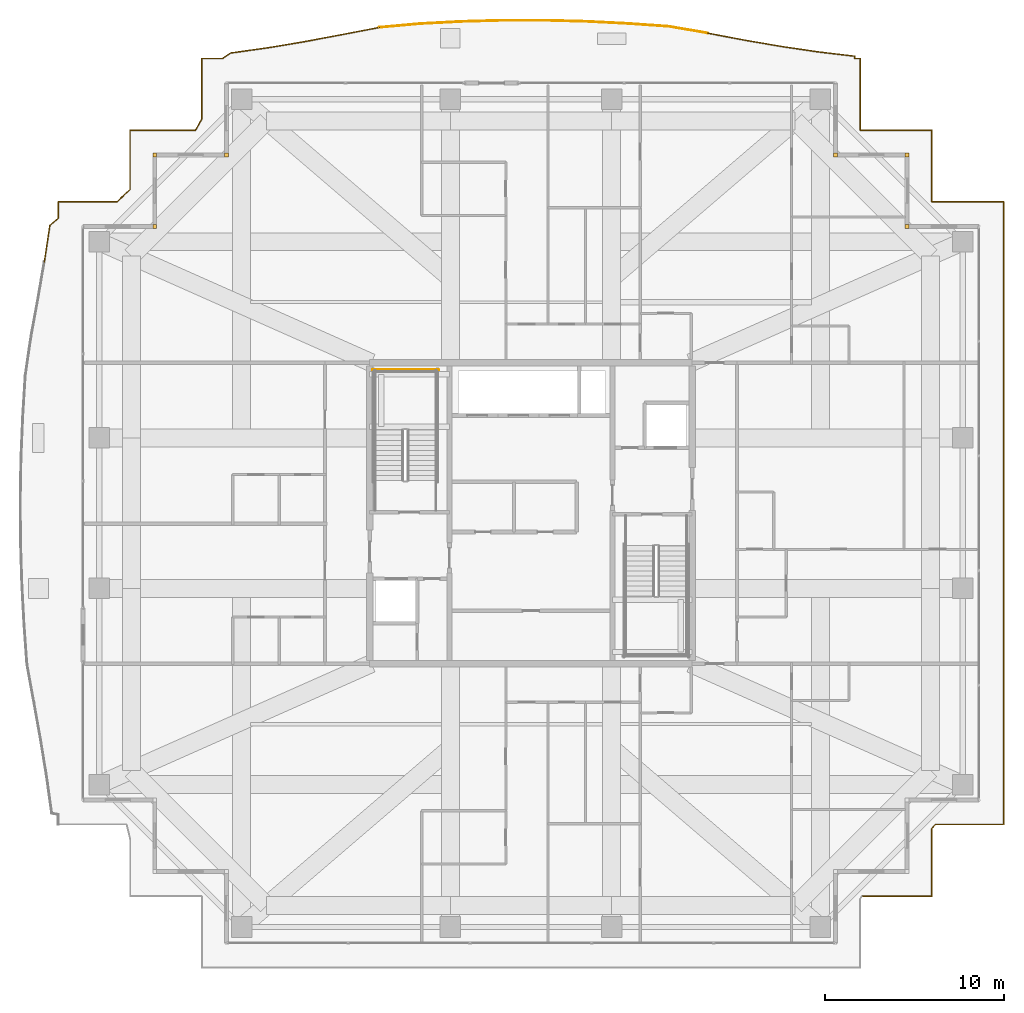
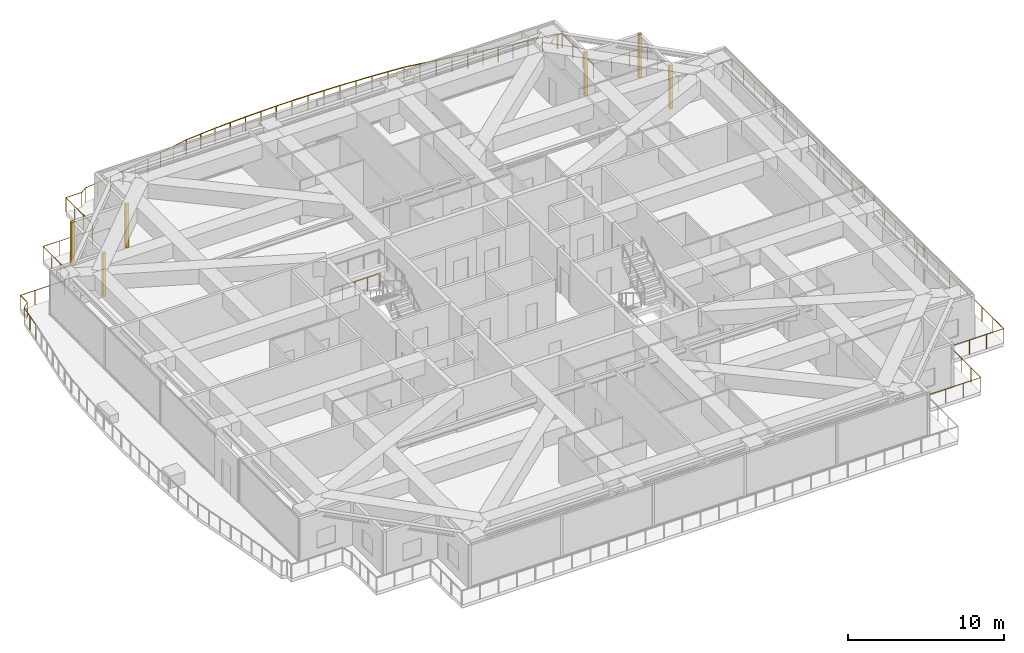
# One storey, part 39 of 39: 6 coverings, 6 railings.
"""IFC4 building model written with IfcOpenShell, lengths in metres."""

from ifc_helpers import new_model, si_unit, direction, frame, origin, origin_2d, place, context, subcontext, project, spatial, rectangle, circle, extrude, source, transform, mapped, material, layer, layer_set, type_object, element, save


model = new_model("IFC4")

# Units and contexts
model_context = context("Model", 3, precision=1e-05, world=origin(), true_north=direction((0.0, 1.0)))
body_context = subcontext(model_context, "Body", "Model", "MODEL_VIEW")
ifc_project = project(units=[si_unit("LENGTHUNIT", "METRE"), si_unit("AREAUNIT", "SQUARE_METRE"), si_unit("VOLUMEUNIT", "CUBIC_METRE"), si_unit("PLANEANGLEUNIT", "RADIAN"), si_unit("MASSUNIT", "GRAM", prefix="KILO")], contexts=[model_context])

# Site, building, storey
site_placement = place(None, origin())
site = spatial("IfcSite", under=ifc_project, at=site_placement, CompositionType="ELEMENT")
building_placement = place(site_placement, origin())
building = spatial("IfcBuilding", under=site, at=building_placement, Name="Serunith Strait Residences", CompositionType="ELEMENT")
storey_placement = place(building_placement, frame((0.0, 0.0, 283.60009765625)))
storey = spatial("IfcBuildingStorey", under=building, at=storey_placement, Name="L71", CompositionType="ELEMENT", Elevation=283.60009765625)

# Railings
ifc_material_1 = material(Name="Stainless Steel & Laminated Glass Balustrade", Category="steel")
railing_type_1 = type_object("IfcRailingType", Name="RLG-BALC-1150", PredefinedType="BALUSTRADE", material=ifc_material_1)
railing_1_placement = place(storey_placement, frame((5.23828125, 39.2333984375, -0.050048828125)))
element("IfcRailing", 1, at=railing_1_placement, inside=storey, type_object=railing_type_1, Name="L71 Swirling Balcony Perimeter Balustrade 3", PredefinedType="BALUSTRADE", context=body_context, shape_type="SweptSolid", body=[
    extrude(circle(Radius=0.02392578125, at=origin_2d()), frame((0.000244140625, 0.001953125, 1.1259765625), z_axis=(0.148125875534, 0.988968515675, 0.0), x_axis=(-0.988968515675, 0.148125875534, 0.0)), (0.0, 0.0, 1.0), 2.0546875),
    extrude(circle(Radius=0.02392578125, at=origin_2d()), frame((0.306396484375, 2.037109375, 1.1259765625), z_axis=(0.763682848806, 0.645591594152, 0.0), x_axis=(-0.645591594152, 0.763682848806, 0.0)), (0.0, 0.0, 1.0), 0.620361328125),
    extrude(circle(Radius=0.02392578125, at=origin_2d()), frame((0.78173828125, 2.44091796875, 1.1259765625), z_axis=(0.0, 1.0, 0.0), x_axis=(-1.0, 0.0, 0.0)), (0.0, 0.0, 1.0), 0.90380859375),
    extrude(circle(Radius=0.02392578125, at=origin_2d()), frame((0.78369140625, 3.3466796875, 1.1259765625), z_axis=(1.0, 0.0, 0.0), x_axis=(0.0, 1.0, 0.0)), (0.0, 0.0, 1.0), 3.2607421875),
    extrude(circle(Radius=0.02392578125, at=origin_2d()), frame((4.0478515625, 3.34814453125, 1.1259765625), z_axis=(0.731442775974, 0.681902827004, 0.0), x_axis=(-0.681902827004, 0.731442775974, 0.0)), (0.0, 0.0, 1.0), 1.00146484375),
    extrude(circle(Radius=0.02392578125, at=origin_2d()), frame((4.78173828125, 4.0341796875, 1.1259765625), z_axis=(0.0, 1.0, 0.0), x_axis=(-1.0, 0.0, 0.0)), (0.0, 0.0, 1.0), 3.310546875),
    extrude(circle(Radius=0.02392578125, at=origin_2d()), frame((4.78369140625, 7.3466796875, 1.1259765625), z_axis=(1.0, 0.0, 0.0), x_axis=(0.0, 1.0, 0.0)), (0.0, 0.0, 1.0), 3.655029296875),
    extrude(circle(Radius=0.02099609375, at=origin_2d()), origin(), (0.0, 0.0, 1.0), 1.099853515625),
    extrude(circle(Radius=0.02099609375, at=origin_2d()), frame((0.15234375, 1.01806640625, 0.0)), (0.0, 0.0, 1.0), 1.099853515625),
    extrude(circle(Radius=0.02099609375, at=origin_2d()), frame((0.304931640625, 2.035888671875, 0.0)), (0.0, 0.0, 1.0), 1.099853515625),
    extrude(circle(Radius=0.02099609375, at=origin_2d()), frame((0.78173828125, 2.43896484375, 0.0)), (0.0, 0.0, 1.0), 1.099853515625),
    extrude(circle(Radius=0.02099609375, at=origin_2d()), frame((0.78173828125, 3.3466796875, 0.0)), (0.0, 0.0, 1.0), 1.099853515625),
    extrude(circle(Radius=0.02099609375, at=origin_2d()), frame((1.869873046875, 3.3466796875, 0.0)), (0.0, 0.0, 1.0), 1.099853515625),
    extrude(circle(Radius=0.02099609375, at=origin_2d()), frame((2.958251953125, 3.3466796875, 0.0)), (0.0, 0.0, 1.0), 1.099853515625),
    extrude(circle(Radius=0.02099609375, at=origin_2d()), frame((4.04638671875, 3.3466796875, 0.0)), (0.0, 0.0, 1.0), 1.099853515625),
    extrude(circle(Radius=0.02099609375, at=origin_2d()), frame((4.78173828125, 4.0322265625, 0.0)), (0.0, 0.0, 1.0), 1.099853515625),
    extrude(circle(Radius=0.02099609375, at=origin_2d()), frame((4.78173828125, 5.136962890625, 0.0)), (0.0, 0.0, 1.0), 1.099853515625),
    extrude(circle(Radius=0.02099609375, at=origin_2d()), frame((4.78173828125, 6.241943359375, 0.0)), (0.0, 0.0, 1.0), 1.099853515625),
    extrude(circle(Radius=0.02099609375, at=origin_2d()), frame((4.78173828125, 7.3466796875, 0.0)), (0.0, 0.0, 1.0), 1.099853515625),
    extrude(circle(Radius=0.02099609375, at=origin_2d()), frame((6.00146484375, 7.3466796875, 0.0)), (0.0, 0.0, 1.0), 1.099853515625),
    extrude(circle(Radius=0.02099609375, at=origin_2d()), frame((7.220947265625, 7.3466796875, 0.0)), (0.0, 0.0, 1.0), 1.099853515625),
    extrude(circle(Radius=0.02099609375, at=origin_2d()), frame((8.440673828125, 7.3466796875, 0.0)), (0.0, 0.0, 1.0), 1.099853515625),
])
railing_2_placement = place(storey_placement, frame((13.678955078125, 46.580078125, -0.050048828125)))
element("IfcRailing", 2, at=railing_2_placement, inside=storey, type_object=railing_type_1, Name="L71 Swirling Balcony Perimeter Balustrade 4", PredefinedType="BALUSTRADE", context=body_context, shape_type="SweptSolid", body=[
    extrude(circle(Radius=0.02392578125, at=origin_2d()), frame((0.0009765625, 0.001708984375, 1.1259765625), z_axis=(0.482648021958, 0.875814413503, 0.0), x_axis=(-0.875814413503, 0.482648021958, 0.0)), (0.0, 0.0, 1.0), 0.70263671875),
    extrude(circle(Radius=0.02392578125, at=origin_2d()), frame((0.341064453125, 0.620849609375, 1.1259765625), z_axis=(0.0, 1.0, 0.0), x_axis=(-1.0, 0.0, 0.0)), (0.0, 0.0, 1.0), 3.377197265625),
    extrude(circle(Radius=0.02392578125, at=origin_2d()), frame((0.343017578125, 4.0, 1.1259765625), z_axis=(1.0, 0.0, 0.0), x_axis=(0.0, 1.0, 0.0)), (0.0, 0.0, 1.0), 1.16796875),
    extrude(circle(Radius=0.02392578125, at=origin_2d()), frame((1.5146484375, 4.001220703125, 1.1259765625), z_axis=(0.820107098284, 0.572210055264, 0.0), x_axis=(-0.572210055264, 0.820107098284, 0.0)), (0.0, 0.0, 1.0), 0.53271484375),
    extrude(circle(Radius=0.02392578125, at=origin_2d()), frame((1.955078125, 4.307373046875, 1.1259765625), z_axis=(0.990353879938, 0.138561150733, 0.0), x_axis=(-0.138561150733, 0.990353879938, 0.0)), (0.0, 0.0, 1.0), 2.039794921875),
    extrude(circle(Radius=0.02392578125, at=origin_2d()), frame((3.979248046875, 4.590576171875, 1.1259765625), z_axis=(0.986333380013, 0.164761838643, 0.0), x_axis=(-0.164761838643, 0.986333380013, 0.0)), (0.0, 0.0, 1.0), 2.069091796875),
    extrude(circle(Radius=0.02392578125, at=origin_2d()), frame((6.02392578125, 4.932373046875, 1.1259765625), z_axis=(0.982954246815, 0.183850343129, 0.0), x_axis=(-0.183850343129, 0.982954246815, 0.0)), (0.0, 0.0, 1.0), 2.115478515625),
    extrude(circle(Radius=0.02392578125, at=origin_2d()), frame((8.107177734375, 5.322021484375, 1.1259765625), z_axis=(0.981983297229, 0.188967732599, 0.0), x_axis=(-0.188967732599, 0.981983297229, 0.0)), (0.0, 0.0, 1.0), 2.17822265625),
    extrude(circle(Radius=0.02099609375, at=origin_2d()), origin(), (0.0, 0.0, 1.0), 1.099853515625),
    extrude(circle(Radius=0.02099609375, at=origin_2d()), frame((0.341064453125, 0.618896484375, 0.0)), (0.0, 0.0, 1.0), 1.099853515625),
    extrude(circle(Radius=0.02099609375, at=origin_2d()), frame((0.341064453125, 1.745849609375, 0.0)), (0.0, 0.0, 1.0), 1.099853515625),
    extrude(circle(Radius=0.02099609375, at=origin_2d()), frame((0.341064453125, 2.873046875, 0.0)), (0.0, 0.0, 1.0), 1.099853515625),
    extrude(circle(Radius=0.02099609375, at=origin_2d()), frame((0.341064453125, 4.0, 0.0)), (0.0, 0.0, 1.0), 1.099853515625),
    extrude(circle(Radius=0.02099609375, at=origin_2d()), frame((1.512939453125, 4.0, 0.0)), (0.0, 0.0, 1.0), 1.099853515625),
    extrude(circle(Radius=0.02099609375, at=origin_2d()), frame((1.953125, 4.30712890625, 0.0)), (0.0, 0.0, 1.0), 1.099853515625),
    extrude(circle(Radius=0.02099609375, at=origin_2d()), frame((2.96533203125, 4.44873046875, 0.0)), (0.0, 0.0, 1.0), 1.099853515625),
    extrude(circle(Radius=0.02099609375, at=origin_2d()), frame((3.977294921875, 4.59033203125, 0.0)), (0.0, 0.0, 1.0), 1.099853515625),
    extrude(circle(Radius=0.02099609375, at=origin_2d()), frame((4.99951171875, 4.76123046875, 0.0)), (0.0, 0.0, 1.0), 1.099853515625),
    extrude(circle(Radius=0.02099609375, at=origin_2d()), frame((6.02197265625, 4.931884765625, 0.0)), (0.0, 0.0, 1.0), 1.099853515625),
    extrude(circle(Radius=0.02099609375, at=origin_2d()), frame((7.0634765625, 5.126708984375, 0.0)), (0.0, 0.0, 1.0), 1.099853515625),
    extrude(circle(Radius=0.02099609375, at=origin_2d()), frame((8.105224609375, 5.321533203125, 0.0)), (0.0, 0.0, 1.0), 1.099853515625),
    extrude(circle(Radius=0.02099609375, at=origin_2d()), frame((9.1767578125, 5.52783203125, 0.0)), (0.0, 0.0, 1.0), 1.099853515625),
    extrude(circle(Radius=0.02099609375, at=origin_2d()), frame((10.248046875, 5.73388671875, 0.0)), (0.0, 0.0, 1.0), 1.099853515625),
])
railing_3_placement = place(storey_placement, frame((23.927001953125, 52.31396484375, -0.050048828125)))
element("IfcRailing", 3, at=railing_3_placement, inside=storey, type_object=railing_type_1, Name="L71 Swirling Balcony Perimeter Balustrade 5", PredefinedType="BALUSTRADE", context=body_context, shape_type="SweptSolid", body=[
    extrude(circle(Radius=0.02392578125, at=origin_2d()), frame((0.001953125, 0.000244140625, 1.1259765625), z_axis=(0.995946824924, 0.089943993263, 0.0), x_axis=(-0.089943993263, 0.995946824924, 0.0)), (0.0, 0.0, 1.0), 2.26513671875),
    extrude(circle(Radius=0.02392578125, at=origin_2d()), frame((2.261962890625, 0.2041015625, 1.1259765625), z_axis=(0.998630645365, 0.052314760234, 0.0), x_axis=(-0.052314760234, 0.998630645365, 0.0)), (0.0, 0.0, 1.0), 2.30615234375),
    extrude(circle(Radius=0.02392578125, at=origin_2d()), frame((4.56884765625, 0.324951171875, 1.1259765625), z_axis=(0.999620613011, 0.02754323952, 0.0), x_axis=(-0.02754323952, 0.999620613011, 0.0)), (0.0, 0.0, 1.0), 2.3271484375),
    extrude(circle(Radius=0.02392578125, at=origin_2d()), frame((6.899169921875, 0.38916015625, 1.1259765625), z_axis=(0.99999973327, 0.000730383778, 0.0), x_axis=(-0.000730383778, 0.99999973327, 0.0)), (0.0, 0.0, 1.0), 2.3359375),
    extrude(circle(Radius=0.02392578125, at=origin_2d()), frame((9.239013671875, 0.390869140625, 1.1259765625), z_axis=(0.999663409564, -0.025943546, 0.0), x_axis=(0.025943546, 0.999663409564, 0.0)), (0.0, 0.0, 1.0), 2.329833984375),
    extrude(circle(Radius=0.02392578125, at=origin_2d()), frame((11.572021484375, 0.330322265625, 1.1259765625), z_axis=(0.998738622465, -0.050211193947, 0.0), x_axis=(0.050211193947, 0.998738622465, 0.0)), (0.0, 0.0, 1.0), 2.310546875),
    extrude(circle(Radius=0.02392578125, at=origin_2d()), frame((13.883544921875, 0.2138671875, 1.1259765625), z_axis=(0.997518010552, -0.070411779022, 0.0), x_axis=(0.070411779022, 0.997518010552, 0.0)), (0.0, 0.0, 1.0), 2.281005859375),
    extrude(circle(Radius=0.02392578125, at=origin_2d()), frame((16.162841796875, 0.052978515625, 1.1259765625), z_axis=(0.985789213888, -0.167986980993, 0.0), x_axis=(0.167986980993, 0.985789213888, 0.0)), (0.0, 0.0, 1.0), 2.2021484375),
    extrude(circle(Radius=0.02099609375, at=origin_2d()), origin(), (0.0, 0.0, 1.0), 1.099853515625),
    extrude(circle(Radius=0.02099609375, at=origin_2d()), frame((1.1298828125, 0.10205078125, 0.0)), (0.0, 0.0, 1.0), 1.099853515625),
    extrude(circle(Radius=0.02099609375, at=origin_2d()), frame((2.260009765625, 0.2041015625, 0.0)), (0.0, 0.0, 1.0), 1.099853515625),
    extrude(circle(Radius=0.02099609375, at=origin_2d()), frame((3.41357421875, 0.2646484375, 0.0)), (0.0, 0.0, 1.0), 1.099853515625),
    extrude(circle(Radius=0.02099609375, at=origin_2d()), frame((4.56689453125, 0.324951171875, 0.0)), (0.0, 0.0, 1.0), 1.099853515625),
    extrude(circle(Radius=0.02099609375, at=origin_2d()), frame((5.73193359375, 0.35693359375, 0.0)), (0.0, 0.0, 1.0), 1.099853515625),
    extrude(circle(Radius=0.02099609375, at=origin_2d()), frame((6.897216796875, 0.38916015625, 0.0)), (0.0, 0.0, 1.0), 1.099853515625),
    extrude(circle(Radius=0.02099609375, at=origin_2d()), frame((8.067138671875, 0.39013671875, 0.0)), (0.0, 0.0, 1.0), 1.099853515625),
    extrude(circle(Radius=0.02099609375, at=origin_2d()), frame((9.237060546875, 0.390869140625, 0.0)), (0.0, 0.0, 1.0), 1.099853515625),
    extrude(circle(Radius=0.02099609375, at=origin_2d()), frame((10.403564453125, 0.360595703125, 0.0)), (0.0, 0.0, 1.0), 1.099853515625),
    extrude(circle(Radius=0.02099609375, at=origin_2d()), frame((11.570068359375, 0.330322265625, 0.0)), (0.0, 0.0, 1.0), 1.099853515625),
    extrude(circle(Radius=0.02099609375, at=origin_2d()), frame((12.725830078125, 0.272216796875, 0.0)), (0.0, 0.0, 1.0), 1.099853515625),
    extrude(circle(Radius=0.02099609375, at=origin_2d()), frame((13.881591796875, 0.214111328125, 0.0)), (0.0, 0.0, 1.0), 1.099853515625),
    extrude(circle(Radius=0.02099609375, at=origin_2d()), frame((15.021240234375, 0.1337890625, 0.0)), (0.0, 0.0, 1.0), 1.099853515625),
    extrude(circle(Radius=0.02099609375, at=origin_2d()), frame((16.160888671875, 0.05322265625, 0.0)), (0.0, 0.0, 1.0), 1.099853515625),
    extrude(circle(Radius=0.02099609375, at=origin_2d()), frame((17.248291015625, -0.132080078125, 0.0)), (0.0, 0.0, 1.0), 1.099853515625),
    extrude(circle(Radius=0.02099609375, at=origin_2d()), frame((18.335693359375, -0.3173828125, 0.0)), (0.0, 0.0, 1.0), 1.099853515625),
])
railing_4_placement = place(storey_placement, frame((42.2626953125, 51.99658203125, -0.050048828125)))
element("IfcRailing", 4, at=railing_4_placement, inside=storey, type_object=railing_type_1, Name="L71 Swirling Balcony Perimeter Balustrade 6", PredefinedType="BALUSTRADE", context=body_context, shape_type="SweptSolid", body=[
    extrude(circle(Radius=0.02392578125, at=origin_2d()), frame((0.001953125, -0.00048828125, 1.1259765625), z_axis=(0.982570809703, -0.185888686905, 0.0), x_axis=(0.185888686905, 0.982570809703, 0.0)), (0.0, 0.0, 1.0), 2.1328125),
    extrude(circle(Radius=0.02392578125, at=origin_2d()), frame((2.1015625, -0.3974609375, 1.1259765625), z_axis=(0.985529647339, -0.16950313925, 0.0), x_axis=(0.16950313925, 0.985529647339, 0.0)), (0.0, 0.0, 1.0), 2.08154296875),
    extrude(circle(Radius=0.02392578125, at=origin_2d()), frame((4.156982421875, -0.7509765625, 1.1259765625), z_axis=(0.989482669022, -0.144651469768, 0.0), x_axis=(0.144651469768, 0.989482669022, 0.0)), (0.0, 0.0, 1.0), 2.04833984375),
    extrude(circle(Radius=0.02392578125, at=origin_2d()), frame((6.187744140625, -1.0478515625, 1.1259765625), z_axis=(0.993065178084, -0.117565097188, 0.0), x_axis=(0.117565097188, 0.993065178084, 0.0)), (0.0, 0.0, 1.0), 2.031005859375),
    extrude(circle(Radius=0.02392578125, at=origin_2d()), frame((8.206787109375, -1.288818359375, 1.1259765625), z_axis=(-0.007532742964, -0.999971628489, 0.0), x_axis=(0.999971628489, -0.007532742964, 0.0)), (0.0, 0.0, 1.0), 0.125732421875),
    extrude(circle(Radius=0.02392578125, at=origin_2d()), frame((8.207763671875, -1.41650390625, 1.1259765625), z_axis=(1.0, 0.0, 0.0), x_axis=(0.0, 1.0, 0.0)), (0.0, 0.0, 1.0), 0.3076171875),
    extrude(circle(Radius=0.02392578125, at=origin_2d()), frame((8.517333984375, -1.41845703125, 1.1259765625), z_axis=(0.0, -1.0, 0.0), x_axis=(1.0, 0.0, 0.0)), (0.0, 0.0, 1.0), 3.99609375),
    extrude(circle(Radius=0.02099609375, at=origin_2d()), origin(), (0.0, 0.0, 1.0), 1.099853515625),
    extrude(circle(Radius=0.02099609375, at=origin_2d()), frame((1.0498046875, -0.19873046875, 0.0)), (0.0, 0.0, 1.0), 1.099853515625),
    extrude(circle(Radius=0.02099609375, at=origin_2d()), frame((2.099609375, -0.397216796875, 0.0)), (0.0, 0.0, 1.0), 1.099853515625),
    extrude(circle(Radius=0.02099609375, at=origin_2d()), frame((3.12744140625, -0.573974609375, 0.0)), (0.0, 0.0, 1.0), 1.099853515625),
    extrude(circle(Radius=0.02099609375, at=origin_2d()), frame((4.155029296875, -0.750732421875, 0.0)), (0.0, 0.0, 1.0), 1.099853515625),
    extrude(circle(Radius=0.02099609375, at=origin_2d()), frame((5.17041015625, -0.899169921875, 0.0)), (0.0, 0.0, 1.0), 1.099853515625),
    extrude(circle(Radius=0.02099609375, at=origin_2d()), frame((6.185791015625, -1.047607421875, 0.0)), (0.0, 0.0, 1.0), 1.099853515625),
    extrude(circle(Radius=0.02099609375, at=origin_2d()), frame((7.1962890625, -1.167236328125, 0.0)), (0.0, 0.0, 1.0), 1.099853515625),
    extrude(circle(Radius=0.02099609375, at=origin_2d()), frame((8.206787109375, -1.286865234375, 0.0)), (0.0, 0.0, 1.0), 1.099853515625),
    extrude(circle(Radius=0.02099609375, at=origin_2d()), frame((8.205810546875, -1.41650390625, 0.0)), (0.0, 0.0, 1.0), 1.099853515625),
    extrude(circle(Radius=0.02099609375, at=origin_2d()), frame((8.517333984375, -1.41650390625, 0.0)), (0.0, 0.0, 1.0), 1.099853515625),
    extrude(circle(Radius=0.02099609375, at=origin_2d()), frame((8.517333984375, -2.749755859375, 0.0)), (0.0, 0.0, 1.0), 1.099853515625),
    extrude(circle(Radius=0.02099609375, at=origin_2d()), frame((8.517333984375, -4.083251953125, 0.0)), (0.0, 0.0, 1.0), 1.099853515625),
    extrude(circle(Radius=0.02099609375, at=origin_2d()), frame((8.517333984375, -5.41650390625, 0.0)), (0.0, 0.0, 1.0), 1.099853515625),
])
railing_5_placement = place(storey_placement, frame((50.780029296875, 46.580078125, -0.050048828125)))
element("IfcRailing", 5, at=railing_5_placement, inside=storey, type_object=railing_type_1, Name="L71 Swirling Balcony Perimeter Balustrade 7", PredefinedType="BALUSTRADE", context=body_context, shape_type="SweptSolid", body=[
    extrude(circle(Radius=0.02392578125, at=origin_2d()), frame((0.001953125, 0.0, 1.1259765625), z_axis=(1.0, 0.0, 0.0), x_axis=(0.0, 1.0, 0.0)), (0.0, 0.0, 1.0), 3.99609375),
    extrude(circle(Radius=0.02392578125, at=origin_2d()), frame((4.0, -0.001953125, 1.1259765625), z_axis=(0.0, -1.0, 0.0), x_axis=(1.0, 0.0, 0.0)), (0.0, 0.0, 1.0), 3.99609375),
    extrude(circle(Radius=0.02392578125, at=origin_2d()), frame((4.001953125, -4.0, 1.1259765625), z_axis=(1.0, 0.0, 0.0), x_axis=(0.0, 1.0, 0.0)), (0.0, 0.0, 1.0), 3.99609375),
    extrude(circle(Radius=0.02392578125, at=origin_2d()), frame((8.0, -4.001953125, 1.1259765625), z_axis=(0.0, -1.0, 0.0), x_axis=(1.0, 0.0, 0.0)), (0.0, 0.0, 1.0), 34.756103515625),
    extrude(circle(Radius=0.02392578125, at=origin_2d()), frame((7.998046875, -38.760009765625, 1.1259765625), z_axis=(-1.0, 0.0, 0.0), x_axis=(0.0, -1.0, 0.0)), (0.0, 0.0, 1.0), 3.801025390625),
    extrude(circle(Radius=0.02392578125, at=origin_2d()), frame((4.19384765625, -38.761474609375, 1.1259765625), z_axis=(-0.659789800433, -0.751450210756, 0.0), x_axis=(0.751450210756, -0.659789800433, 0.0)), (0.0, 0.0, 1.0), 0.291748046875),
    extrude(circle(Radius=0.02392578125, at=origin_2d()), frame((4.0, -38.984130859375, 1.1259765625), z_axis=(0.0, -1.0, 0.0), x_axis=(1.0, 0.0, 0.0)), (0.0, 0.0, 1.0), 3.77392578125),
    extrude(circle(Radius=0.02392578125, at=origin_2d()), frame((3.998046875, -42.760009765625, 1.1259765625), z_axis=(-1.0, 0.0, 0.0), x_axis=(0.0, -1.0, 0.0)), (0.0, 0.0, 1.0), 3.89501953125),
    extrude(circle(Radius=0.02099609375, at=origin_2d()), origin(), (0.0, 0.0, 1.0), 1.099853515625),
    extrude(circle(Radius=0.02099609375, at=origin_2d()), frame((1.333251953125, 0.0, 0.0)), (0.0, 0.0, 1.0), 1.099853515625),
    extrude(circle(Radius=0.02099609375, at=origin_2d()), frame((2.666748046875, 0.0, 0.0)), (0.0, 0.0, 1.0), 1.099853515625),
    extrude(circle(Radius=0.02099609375, at=origin_2d()), frame((4.0, 0.0, 0.0)), (0.0, 0.0, 1.0), 1.099853515625),
    extrude(circle(Radius=0.02099609375, at=origin_2d()), frame((4.0, -1.333251953125, 0.0)), (0.0, 0.0, 1.0), 1.099853515625),
    extrude(circle(Radius=0.02099609375, at=origin_2d()), frame((4.0, -2.666748046875, 0.0)), (0.0, 0.0, 1.0), 1.099853515625),
    extrude(circle(Radius=0.02099609375, at=origin_2d()), frame((4.0, -4.0, 0.0)), (0.0, 0.0, 1.0), 1.099853515625),
    extrude(circle(Radius=0.02099609375, at=origin_2d()), frame((5.333251953125, -4.0, 0.0)), (0.0, 0.0, 1.0), 1.099853515625),
    extrude(circle(Radius=0.02099609375, at=origin_2d()), frame((6.666748046875, -4.0, 0.0)), (0.0, 0.0, 1.0), 1.099853515625),
    extrude(circle(Radius=0.02099609375, at=origin_2d()), frame((8.0, -4.0, 0.0)), (0.0, 0.0, 1.0), 1.099853515625),
    extrude(circle(Radius=0.02099609375, at=origin_2d()), frame((8.0, -5.390380859375, 0.0)), (0.0, 0.0, 1.0), 1.099853515625),
    extrude(circle(Radius=0.02099609375, at=origin_2d()), frame((8.0, -6.78076171875, 0.0)), (0.0, 0.0, 1.0), 1.099853515625),
    extrude(circle(Radius=0.02099609375, at=origin_2d()), frame((8.0, -8.171142578125, 0.0)), (0.0, 0.0, 1.0), 1.099853515625),
    extrude(circle(Radius=0.02099609375, at=origin_2d()), frame((8.0, -9.5615234375, 0.0)), (0.0, 0.0, 1.0), 1.099853515625),
    extrude(circle(Radius=0.02099609375, at=origin_2d()), frame((8.0, -10.951904296875, 0.0)), (0.0, 0.0, 1.0), 1.099853515625),
    extrude(circle(Radius=0.02099609375, at=origin_2d()), frame((8.0, -12.34228515625, 0.0)), (0.0, 0.0, 1.0), 1.099853515625),
    extrude(circle(Radius=0.02099609375, at=origin_2d()), frame((8.0, -13.73291015625, 0.0)), (0.0, 0.0, 1.0), 1.099853515625),
    extrude(circle(Radius=0.02099609375, at=origin_2d()), frame((8.0, -15.123291015625, 0.0)), (0.0, 0.0, 1.0), 1.099853515625),
    extrude(circle(Radius=0.02099609375, at=origin_2d()), frame((8.0, -16.513671875, 0.0)), (0.0, 0.0, 1.0), 1.099853515625),
    extrude(circle(Radius=0.02099609375, at=origin_2d()), frame((8.0, -17.904052734375, 0.0)), (0.0, 0.0, 1.0), 1.099853515625),
    extrude(circle(Radius=0.02099609375, at=origin_2d()), frame((8.0, -19.29443359375, 0.0)), (0.0, 0.0, 1.0), 1.099853515625),
    extrude(circle(Radius=0.02099609375, at=origin_2d()), frame((8.0, -20.684814453125, 0.0)), (0.0, 0.0, 1.0), 1.099853515625),
    extrude(circle(Radius=0.02099609375, at=origin_2d()), frame((8.0, -22.0751953125, 0.0)), (0.0, 0.0, 1.0), 1.099853515625),
    extrude(circle(Radius=0.02099609375, at=origin_2d()), frame((8.0, -23.465576171875, 0.0)), (0.0, 0.0, 1.0), 1.099853515625),
    extrude(circle(Radius=0.02099609375, at=origin_2d()), frame((8.0, -24.85595703125, 0.0)), (0.0, 0.0, 1.0), 1.099853515625),
    extrude(circle(Radius=0.02099609375, at=origin_2d()), frame((8.0, -26.246337890625, 0.0)), (0.0, 0.0, 1.0), 1.099853515625),
    extrude(circle(Radius=0.02099609375, at=origin_2d()), frame((8.0, -27.63671875, 0.0)), (0.0, 0.0, 1.0), 1.099853515625),
    extrude(circle(Radius=0.02099609375, at=origin_2d()), frame((8.0, -29.027099609375, 0.0)), (0.0, 0.0, 1.0), 1.099853515625),
    extrude(circle(Radius=0.02099609375, at=origin_2d()), frame((8.0, -30.417724609375, 0.0)), (0.0, 0.0, 1.0), 1.099853515625),
    extrude(circle(Radius=0.02099609375, at=origin_2d()), frame((8.0, -31.80810546875, 0.0)), (0.0, 0.0, 1.0), 1.099853515625),
    extrude(circle(Radius=0.02099609375, at=origin_2d()), frame((8.0, -33.198486328125, 0.0)), (0.0, 0.0, 1.0), 1.099853515625),
    extrude(circle(Radius=0.02099609375, at=origin_2d()), frame((8.0, -34.5888671875, 0.0)), (0.0, 0.0, 1.0), 1.099853515625),
    extrude(circle(Radius=0.02099609375, at=origin_2d()), frame((8.0, -35.979248046875, 0.0)), (0.0, 0.0, 1.0), 1.099853515625),
    extrude(circle(Radius=0.02099609375, at=origin_2d()), frame((8.0, -37.36962890625, 0.0)), (0.0, 0.0, 1.0), 1.099853515625),
    extrude(circle(Radius=0.02099609375, at=origin_2d()), frame((8.0, -38.760009765625, 0.0)), (0.0, 0.0, 1.0), 1.099853515625),
    extrude(circle(Radius=0.02099609375, at=origin_2d()), frame((6.731689453125, -38.760009765625, 0.0)), (0.0, 0.0, 1.0), 1.099853515625),
    extrude(circle(Radius=0.02099609375, at=origin_2d()), frame((5.46337890625, -38.760009765625, 0.0)), (0.0, 0.0, 1.0), 1.099853515625),
    extrude(circle(Radius=0.02099609375, at=origin_2d()), frame((4.195068359375, -38.760009765625, 0.0)), (0.0, 0.0, 1.0), 1.099853515625),
    extrude(circle(Radius=0.02099609375, at=origin_2d()), frame((4.0, -38.982177734375, 0.0)), (0.0, 0.0, 1.0), 1.099853515625),
    extrude(circle(Radius=0.02099609375, at=origin_2d()), frame((4.0, -40.241455078125, 0.0)), (0.0, 0.0, 1.0), 1.099853515625),
    extrude(circle(Radius=0.02099609375, at=origin_2d()), frame((4.0, -41.500732421875, 0.0)), (0.0, 0.0, 1.0), 1.099853515625),
    extrude(circle(Radius=0.02099609375, at=origin_2d()), frame((4.0, -42.760009765625, 0.0)), (0.0, 0.0, 1.0), 1.099853515625),
    extrude(circle(Radius=0.02099609375, at=origin_2d()), frame((2.700439453125, -42.760009765625, 0.0)), (0.0, 0.0, 1.0), 1.099853515625),
    extrude(circle(Radius=0.02099609375, at=origin_2d()), frame((1.400634765625, -42.760009765625, 0.0)), (0.0, 0.0, 1.0), 1.099853515625),
    extrude(circle(Radius=0.02099609375, at=origin_2d()), frame((0.10107421875, -42.760009765625, 0.0)), (0.0, 0.0, 1.0), 1.099853515625),
])
ifc_material_2 = material(Name="Brushed stainless steel 316L", Category="steel")
railing_type_2 = type_object("IfcRailingType", Name="RLG-STAIR-GUARD", PredefinedType="BALUSTRADE", material=ifc_material_2)
railing_6_placement = place(storey_placement, frame((27.25, 33.199951171875, 0.0)))
element("IfcRailing", 6, at=railing_6_placement, inside=storey, type_object=railing_type_2, Name="L71 ST-1 stair guard 12", PredefinedType="BALUSTRADE", context=body_context, shape_type="SweptSolid", body=[
    extrude(circle(Radius=0.02392578125, at=origin_2d()), frame((-0.001953125, 0.0, 1.076171875), z_axis=(-1.0, 0.0, 0.0), x_axis=(0.0, -1.0, 0.0)), (0.0, 0.0, 1.0), 3.696044921875),
    extrude(circle(Radius=0.02099609375, at=origin_2d()), origin(), (0.0, 0.0, 1.0), 1.050048828125),
    extrude(circle(Radius=0.02099609375, at=origin_2d()), frame((-0.925048828125, 0.0, 0.0)), (0.0, 0.0, 1.0), 1.050048828125),
    extrude(circle(Radius=0.02099609375, at=origin_2d()), frame((-1.85009765625, 0.0, 0.0)), (0.0, 0.0, 1.0), 1.050048828125),
    extrude(circle(Radius=0.02099609375, at=origin_2d()), frame((-2.77490234375, 0.0, 0.0)), (0.0, 0.0, 1.0), 1.050048828125),
    extrude(circle(Radius=0.02099609375, at=origin_2d()), frame((-3.699951171875, 0.0, 0.0)), (0.0, 0.0, 1.0), 1.050048828125),
])

# Coverings
ifc_material_3 = material(Name="Pale-Champagne Anodised Aluminium", Category="aluminium")
ifc_layer = layer(ifc_material_3, 0.219970703125, Name="Pale-Champagne Anodised Aluminium")
ifc_layer_set = layer_set([ifc_layer], Name="Pale-Champagne Anodised Aluminium")
covering_type = type_object("IfcCoveringType", Name="COV-CORN-TRIM", PredefinedType="CLADDING", material=ifc_layer_set)
shared_shape = source(origin(), body_context, "Body", "SweptSolid", [
    extrude(rectangle(XDim=0.221923828125, YDim=0.221923828125, at=origin_2d()), origin(), (0.0, 0.0, 1.0), 3.39501953125),
])
for number, where, z_axis, x_axis, name in (
    (7, (53.39990234375, 41.199951171875, 0.0), (0.0, 0.0, 1.0), (1.0, 0.0, 0.0), "L71 Girih Serrated Corner Trim Post 07"),
    (8, (53.39990234375, 45.199951171875, 0.0), (0.0, 0.0, 1.0), (1.0, 0.0, 0.0), "L71 Girih Serrated Corner Trim Post 08"),
    (9, (49.39990234375, 45.199951171875, 0.0), (0.0, 0.0, 1.0), (1.0, 0.0, 0.0), "L71 Girih Serrated Corner Trim Post 09"),
    (10, (15.39990234375, 45.199951171875, 0.0), (0.0, 0.0, 1.0), (1.0, 0.0, 0.0), "L71 Girih Serrated Corner Trim Post 12"),
    (11, (11.39990234375, 45.199951171875, 0.0), (0.0, 0.0, 1.0), (1.0, 0.0, 0.0), "L71 Girih Serrated Corner Trim Post 13"),
    (12, (11.39990234375, 41.199951171875, 0.0), (0.0, 0.0, 1.0), (1.0, 0.0, 0.0), "L71 Girih Serrated Corner Trim Post 14"),
):
    element("IfcCovering", number, at=place(storey_placement, frame(where, z_axis=z_axis, x_axis=x_axis)), inside=storey, type_object=covering_type, Name=name, PredefinedType="CLADDING", context=body_context, shape_type="MappedRepresentation", body=[
        mapped(shared_shape, transform((0.0, 0.0, 0.0), scale=1.0)),
    ])

save(model, "model.ifc")
